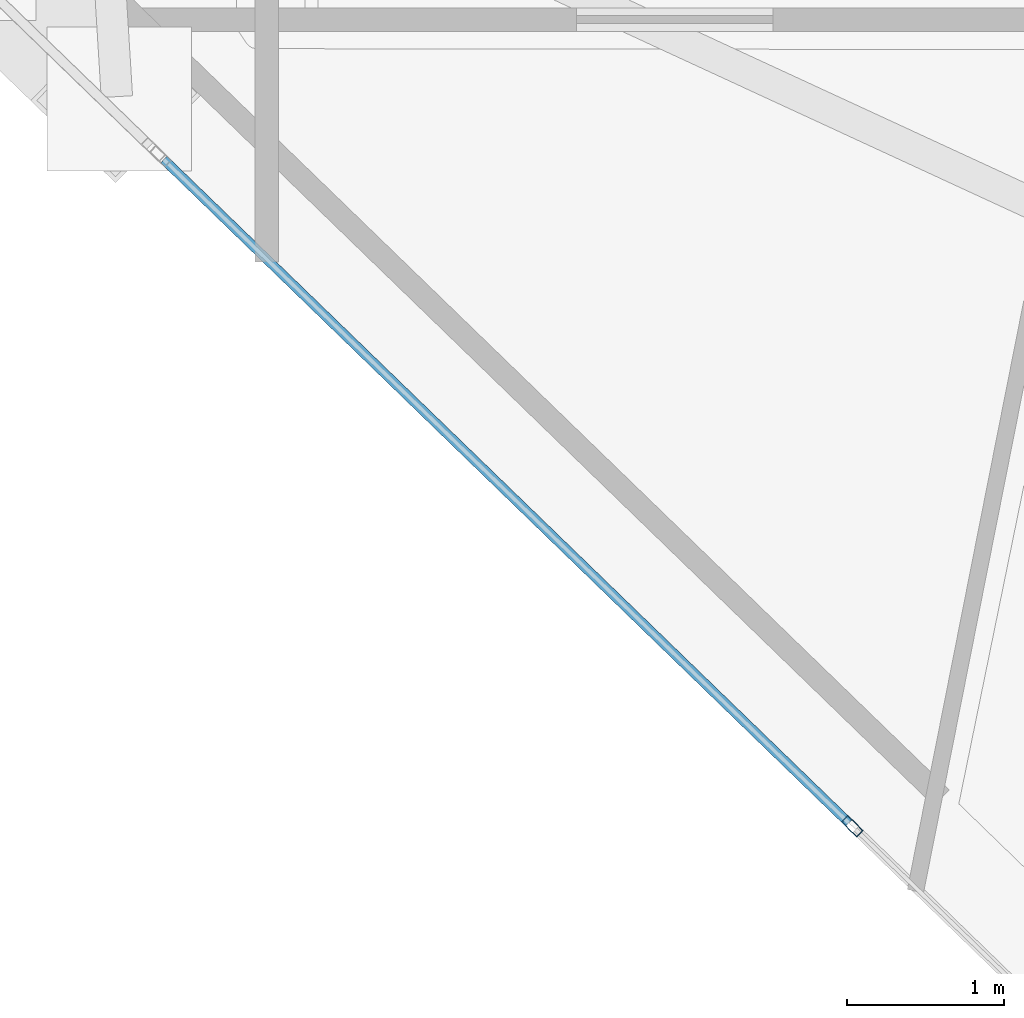
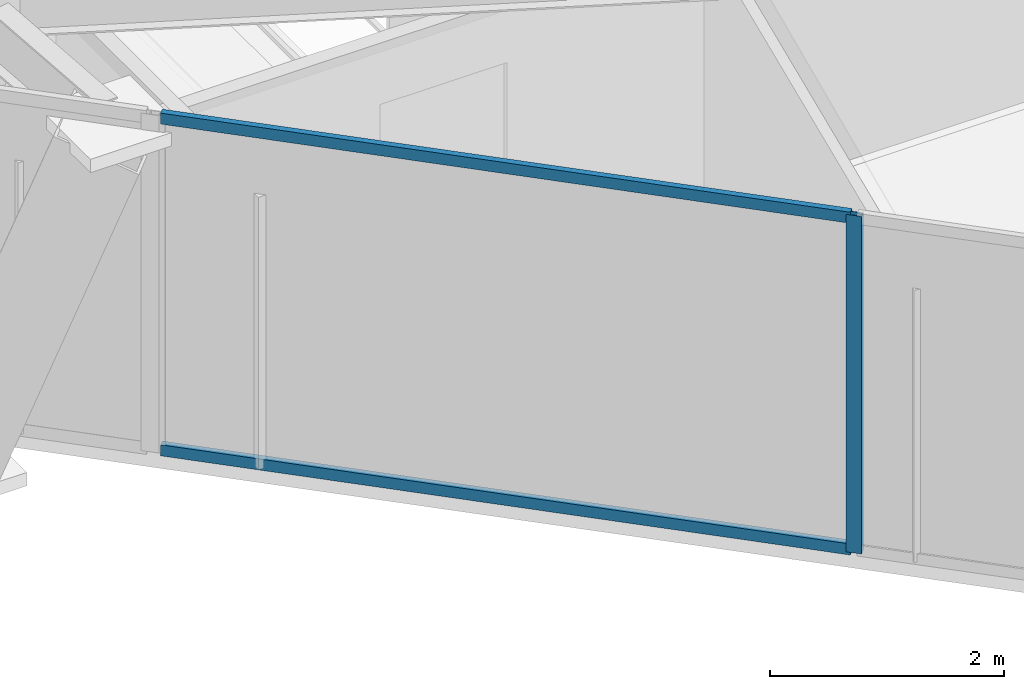
# One storey, part 2 of 19: 3 members, 1 element without a shape of its own.
"""IFC4 building model written with IfcOpenShell, lengths in metres."""

from ifc_helpers import new_model, si_unit, direction, frame, origin, origin_2d, place, context, subcontext, project, spatial, hollow_rectangle, extrude, material, layer, layer_set, material_profile, profile_set, type_object, element, aggregate, save


model = new_model("IFC4")

# Units and contexts
model_context = context("Model", 3, precision=1e-05, world=origin(), true_north=direction((0.0, 1.0)))
body_context = subcontext(model_context, "Body", "Model", "MODEL_VIEW")
ifc_project = project(units=[si_unit("LENGTHUNIT", "METRE"), si_unit("AREAUNIT", "SQUARE_METRE"), si_unit("VOLUMEUNIT", "CUBIC_METRE"), si_unit("PLANEANGLEUNIT", "RADIAN"), si_unit("MASSUNIT", "GRAM", prefix="KILO")], contexts=[model_context])

# Site, building, storey
site_placement = place(None, origin())
site = spatial("IfcSite", under=ifc_project, at=site_placement, CompositionType="ELEMENT")
building_placement = place(site_placement, origin())
building = spatial("IfcBuilding", under=site, at=building_placement, Name="Qianvela Tower", CompositionType="ELEMENT")
storey_placement = place(building_placement, frame((0.0, 0.0, 344.39990234375)))
storey = spatial("IfcBuildingStorey", under=building, at=storey_placement, Name="L89", CompositionType="ELEMENT", Elevation=344.39990234375)

# Curtain wall, members
ifc_material_1 = material(Name="Anodised Architectural Aluminium and Low-E Glass", Category="aluminium")
ifc_layer = layer(ifc_material_1, 0.14990234375)
ifc_layer_set = layer_set([ifc_layer], Name="Anodised Architectural Aluminium and Low-E Glass")
curtain_wall_type = type_object("IfcCurtainWallType", Name="CW-COLIV-Z78", PredefinedType="USERDEFINED", material=ifc_layer_set)
curtain_wall_placement = place(storey_placement, origin())
curtain_wall = element("IfcCurtainWall", 1, at=curtain_wall_placement, inside=storey, type_object=curtain_wall_type, Name="L89 CW-COLIV-Z78 Curtain Wall 04C", ObjectType="CURTAIN_WALL_SYSTEM", PredefinedType="USERDEFINED")
ifc_material_2 = material(Name="Anodised Architectural Aluminium 6063-T6", Category="aluminium")
ifc_material_profile_1 = material_profile(ifc_material_2, hollow_rectangle(XDim=0.06005859375, YDim=0.139892578125, WallThickness=0.00439453125, at=origin_2d()), Name="ALU-MULL-60x140")
ifc_profile_set_1 = profile_set([ifc_material_profile_1], Name="Anodised Architectural Aluminium 6063-T6")
member_type_1 = type_object("IfcMemberType", Name="CW-COLIV-Z78-MULL", PredefinedType="MULLION", material=ifc_profile_set_1)
member_1_placement = place(storey_placement, frame((33.963134765625, 10.94140625, 0.0), z_axis=(0.0, 0.0, 1.0), x_axis=(0.695659386156, 0.71837178289, 0.0)))
member_1 = element("IfcMember", 2, at=member_1_placement, type_object=member_type_1, Name="CW-6 mullion 2", PredefinedType="MULLION", context=body_context, shape_type="SweptSolid", body=[
    extrude(hollow_rectangle(XDim=0.06005859375, YDim=0.139892578125, WallThickness=0.00439453125, at=origin_2d()), origin(), (0.0, 0.0, 1.0), 3.52001953125),
])
ifc_material_3 = material(Name="Anodised Architectural Aluminium 6063-T6", Category="aluminium")
ifc_material_profile_2 = material_profile(ifc_material_3, hollow_rectangle(XDim=0.06005859375, YDim=0.114990234375, WallThickness=0.00390625, at=origin_2d()), Name="ALU-TRAN-60x115")
ifc_profile_set_2 = profile_set([ifc_material_profile_2], Name="Anodised Architectural Aluminium 6063-T6")
member_type_2 = type_object("IfcMemberType", Name="CW-COLIV-Z78-TRAN", PredefinedType="USERDEFINED", material=ifc_profile_set_2)
member_2_placement = place(storey_placement, frame((29.57666015625, 15.189208984375, 0.030029296875), z_axis=(0.718366335643, -0.695665011205, 0.0), x_axis=(0.695665011205, 0.718366335643, 0.0)))
member_2 = element("IfcMember", 3, at=member_2_placement, type_object=member_type_2, Name="CW-6 transom 1.1", ObjectType="TRANSOM", PredefinedType="USERDEFINED", context=body_context, shape_type="SweptSolid", body=[
    extrude(hollow_rectangle(XDim=0.06005859375, YDim=0.114990234375, WallThickness=0.00390625, at=origin_2d()), origin(), (0.0, 0.0, 1.0), 6.076171875),
])
member_3_placement = place(storey_placement, frame((29.57666015625, 15.189208984375, 3.489990234375), z_axis=(0.718366335643, -0.695665011205, 0.0), x_axis=(0.695665011205, 0.718366335643, 0.0)))
member_3 = element("IfcMember", 4, at=member_3_placement, type_object=member_type_2, Name="CW-6 transom 1.2", ObjectType="TRANSOM", PredefinedType="USERDEFINED", context=body_context, shape_type="SweptSolid", body=[
    extrude(hollow_rectangle(XDim=0.06005859375, YDim=0.114990234375, WallThickness=0.00390625, at=origin_2d()), origin(), (0.0, 0.0, 1.0), 6.076171875),
])
aggregate(curtain_wall, [member_1, member_2, member_3])

save(model, "model.ifc")
